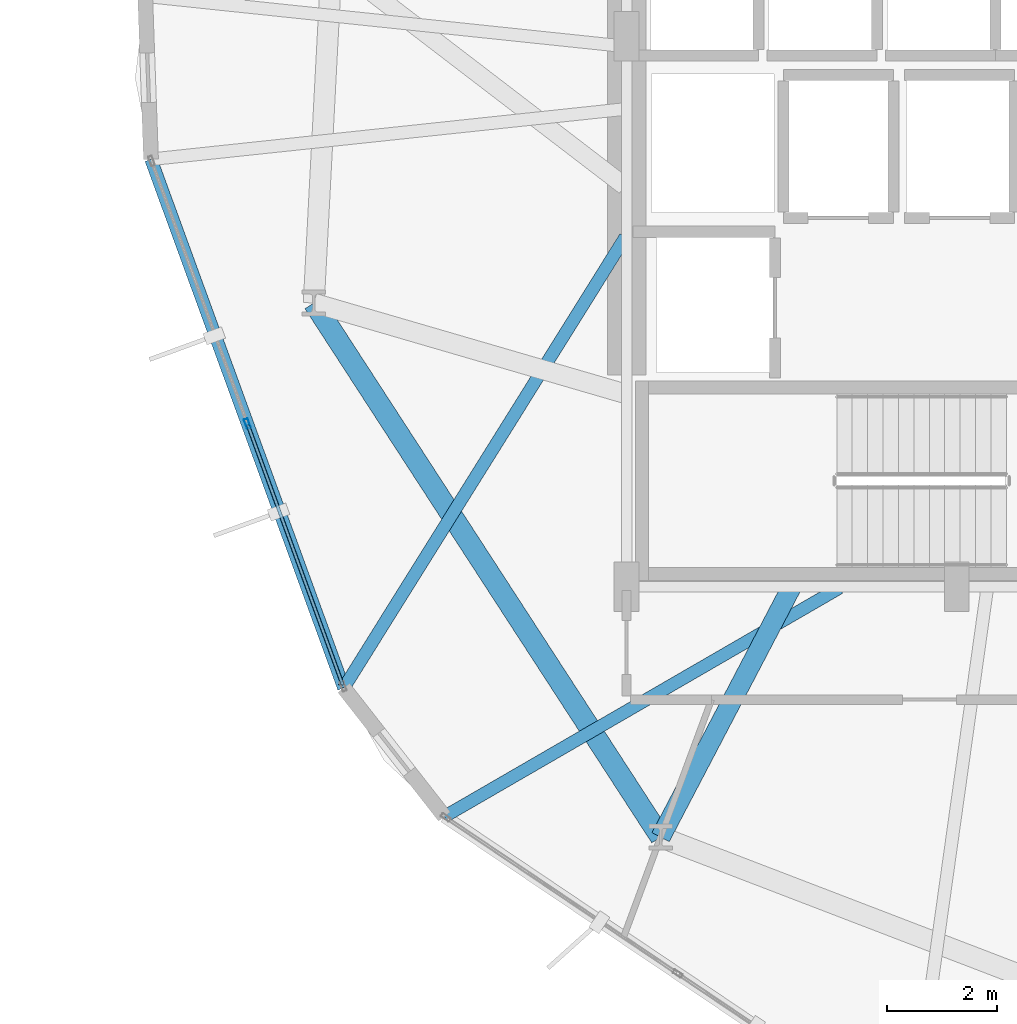
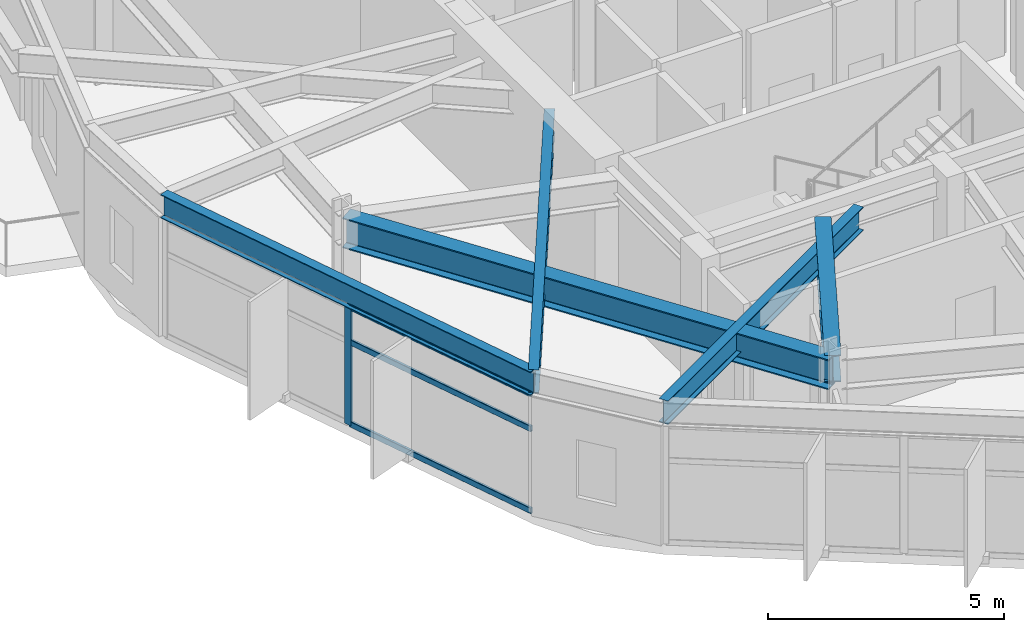
# One storey, part 3 of 21: 5 beams, 4 members, 1 element without a shape of its own.
"""IFC4 building model written with IfcOpenShell, lengths in metres."""

import ifcopenshell
import ifcopenshell.guid

model = None  # the IFC model being written
_history = None  # IfcOwnerHistory: only IFC2X3 demands one
_inside = {}  # id of a spatial element -> (the spatial element, [elements in it])
_under = {}  # id of a project, library or spatial element -> (it, [spatial elements below it])
_declared = {}  # id of a project -> (the project, [libraries it declares])
_typed = {}  # id of a type object -> (the type object, [elements of that type])
_made_of = {}  # id of a material, layer set ... -> (it, [elements and type objects made of it])


def new_model(schema):
    """Start an empty IFC model of exactly this schema.

    Asked for "IFC4X3", IfcOpenShell would pick the latest addendum, in which some entities
    have other attributes; the version numbers below select the first issue.
    IFC2X3 requires an IfcOwnerHistory on every rooted entity: one is made here for all.
    """
    global model, _history
    if schema == "IFC4X3":
        model = ifcopenshell.file(schema_version=(4, 3, 0, 0))
    else:
        model = ifcopenshell.file(schema=schema)
    _inside.clear()
    _under.clear()
    _declared.clear()
    _typed.clear()
    _made_of.clear()
    _history = None
    if model.schema == "IFC2X3":
        org = make("IfcOrganization", Name="unknown")
        user = make(
            "IfcPersonAndOrganization",
            ThePerson=make("IfcPerson", FamilyName="unknown"),
            TheOrganization=org,
        )
        app = make(
            "IfcApplication",
            ApplicationDeveloper=org,
            Version="unknown",
            ApplicationFullName="unknown",
            ApplicationIdentifier="unknown",
        )
        _history = make(
            "IfcOwnerHistory",
            OwningUser=user,
            OwningApplication=app,
            ChangeAction="ADDED",
            CreationDate=0,
        )
    return model


def make(cls, **values):
    """One entity of the class cls with the attributes given. An attribute that is None is left unset."""
    return model.create_entity(
        cls, **{name: value for name, value in values.items() if value is not None}
    )


def rooted(cls, **values):
    """An entity with a GlobalId (a new one), such as an element, a storey or a relation."""
    return make(cls, GlobalId=ifcopenshell.guid.new(), OwnerHistory=_history, **values)


def si_unit(unit_type, name, prefix=None):
    """IfcSIUnit, for example si_unit("LENGTHUNIT", "METRE", prefix="MILLI")."""
    return make("IfcSIUnit", UnitType=unit_type, Prefix=prefix, Name=name)


def assignment(units):
    """IfcUnitAssignment: the units of a project."""
    return None if units is None else make("IfcUnitAssignment", Units=units)


def point(xyz):
    """IfcCartesianPoint."""
    return None if xyz is None else make("IfcCartesianPoint", Coordinates=xyz)


def direction(xyz):
    """IfcDirection."""
    return None if xyz is None else make("IfcDirection", DirectionRatios=xyz)


def frame(location, z_axis=None, x_axis=None):
    """IfcAxis2Placement3D, a coordinate frame: its origin and axes. An axis left out is left unset."""
    return make(
        "IfcAxis2Placement3D",
        Location=point(location),
        Axis=direction(z_axis),
        RefDirection=direction(x_axis),
    )


def frame_2d(location, x_axis=None):
    """IfcAxis2Placement2D, a coordinate frame in the plane: its origin and x axis."""
    return make(
        "IfcAxis2Placement2D", Location=point(location), RefDirection=direction(x_axis)
    )


def origin():
    """The frame at (0, 0, 0) with its axes left unset."""
    return frame((0.0, 0.0, 0.0))


def origin_2d():
    """The frame at (0, 0) in the plane with its x axis left unset."""
    return frame_2d((0.0, 0.0))


def place(relative_to, where):
    """IfcLocalPlacement: puts the frame where relative to a parent placement (None: the world)."""
    return make(
        "IfcLocalPlacement", PlacementRelTo=relative_to, RelativePlacement=where
    )


def context(
    kind, dimensions, precision=None, world=None, true_north=None, identifier=None
):
    """IfcGeometricRepresentationContext, for example the 3D "Model" context."""
    return make(
        "IfcGeometricRepresentationContext",
        ContextIdentifier=identifier,
        ContextType=kind,
        CoordinateSpaceDimension=dimensions,
        Precision=precision,
        WorldCoordinateSystem=world,
        TrueNorth=true_north,
    )


def subcontext(parent, identifier, kind, view, scale=None):
    """IfcGeometricRepresentationSubContext, for example "Body" below "Model"."""
    return make(
        "IfcGeometricRepresentationSubContext",
        ContextIdentifier=identifier,
        ContextType=kind,
        ParentContext=parent,
        TargetScale=scale,
        TargetView=view,
    )


def project(units=None, contexts=None):
    """IfcProject with its units and contexts."""
    return rooted(
        "IfcProject",
        Name="project",
        RepresentationContexts=contexts,
        UnitsInContext=assignment(units),
    )


def spatial(cls, under=None, at=None, **own):
    """A site, building, storey or space (cls), placed at a placement, below another one or the project."""
    s = rooted(cls, ObjectPlacement=at, **own)
    if under is not None:
        _under.setdefault(under.id(), (under, []))[1].append(s)
    return s


def profile(cls, at=None, kind="AREA", **sizes):
    """A parametric profile (cls). Its sizes go by their IFC names, for example OverallWidth=200.0."""
    return make(cls, ProfileType=kind, Position=at, **sizes)


def hollow_rectangle(**sizes):
    """IfcRectangleHollowProfileDef."""
    return profile("IfcRectangleHollowProfileDef", **sizes)


def i_section(**sizes):
    """IfcIShapeProfileDef."""
    return profile("IfcIShapeProfileDef", **sizes)


def extrude(swept, where, along, depth):
    """IfcExtrudedAreaSolid: the profile swept, set in the frame where, extruded along a direction by depth."""
    return make(
        "IfcExtrudedAreaSolid",
        SweptArea=swept,
        Position=where,
        ExtrudedDirection=direction(along),
        Depth=depth,
    )


def shape(context_of_items, identifier, shape_type, items):
    """IfcShapeRepresentation: the items that make up one representation, for example the "Body"."""
    return make(
        "IfcShapeRepresentation",
        ContextOfItems=context_of_items,
        RepresentationIdentifier=identifier,
        RepresentationType=shape_type,
        Items=items,
    )


def material(Name=None, Category=None):
    """IfcMaterial."""
    return make("IfcMaterial", Name=Name, Category=Category)


def layer(
    of_material, thickness, ventilated=None, Name=None, Category=None, Priority=None
):
    """IfcMaterialLayer: one layer of a wall or slab, of a material (None: an air gap)."""
    return make(
        "IfcMaterialLayer",
        Material=of_material,
        LayerThickness=thickness,
        IsVentilated=ventilated,
        Name=Name,
        Category=Category,
        Priority=Priority,
    )


def layer_set(layers, Name=None):
    """IfcMaterialLayerSet."""
    return make("IfcMaterialLayerSet", MaterialLayers=layers, LayerSetName=Name)


def material_profile(
    of_material, cross_section, Name=None, Category=None, Priority=None
):
    """IfcMaterialProfile: a cross section and its material."""
    return make(
        "IfcMaterialProfile",
        Name=Name,
        Material=of_material,
        Profile=cross_section,
        Priority=Priority,
        Category=Category,
    )


def profile_set(profiles, Name=None, composite=None):
    """IfcMaterialProfileSet."""
    return make(
        "IfcMaterialProfileSet",
        Name=Name,
        MaterialProfiles=profiles,
        CompositeProfile=composite,
    )


def made_of(thing, what):
    """Note that an element or type object is made of a material, layer set ...; save() writes the relation."""
    if what is not None:
        _made_of.setdefault(what.id(), (what, []))[1].append(thing)
    return thing


def type_object(cls, material=None, **own):
    """A type object (cls), such as IfcWallType, which elements share."""
    return made_of(rooted(cls, **own), material)


def element(
    cls,
    number,
    at=None,
    inside=None,
    cuts=None,
    type_object=None,
    material=None,
    context=None,
    identifier="Body",
    shape_type=None,
    held_by="IfcProductDefinitionShape",
    body=None,
    shapes=None,
    **own,
):
    """One element of the class cls, such as IfcWall. Its Tag is "e" and its number.

    at: its placement. inside: the storey or other place that contains it. cuts: it is an
    opening in that element (IfcRelVoidsElement). A single representation is given by context,
    identifier, shape_type and body (its items); several are given by shapes. held_by: the class
    of the entity that holds the representations. save() writes the other relations.
    """
    e = rooted(cls, Tag="e%d" % number, ObjectPlacement=at, **own)
    if body is not None:
        shapes = [shape(context, identifier, shape_type, body)]
    if shapes is not None:
        e.Representation = make(held_by, Representations=shapes)
    if inside is not None:
        _inside.setdefault(inside.id(), (inside, []))[1].append(e)
    if cuts is not None:
        rooted(
            "IfcRelVoidsElement", RelatingBuildingElement=cuts, RelatedOpeningElement=e
        )
    if type_object is not None:
        _typed.setdefault(type_object.id(), (type_object, []))[1].append(e)
    return made_of(e, material)


def aggregate(whole, parts):
    """IfcRelAggregates: a whole, such as a stair, and the parts it consists of."""
    return rooted("IfcRelAggregates", RelatingObject=whole, RelatedObjects=parts)


def save(model, path):
    """Write the relations noted so far, then the file.

    IfcRelAggregates (storeys below a building ...), IfcRelContainedInSpatialStructure (elements
    in a storey), IfcRelDefinesByType, IfcRelAssociatesMaterial and IfcRelDeclares: one each for
    every whole, place, type object, material and project.
    """
    for whole, parts in _under.values():
        aggregate(whole, parts)
    for where, things in _inside.values():
        rooted(
            "IfcRelContainedInSpatialStructure",
            RelatedElements=things,
            RelatingStructure=where,
        )
    for kind, things in _typed.values():
        rooted("IfcRelDefinesByType", RelatedObjects=things, RelatingType=kind)
    for what, things in _made_of.values():
        rooted("IfcRelAssociatesMaterial", RelatedObjects=things, RelatingMaterial=what)
    for by, libraries in _declared.values():
        rooted("IfcRelDeclares", RelatingContext=by, RelatedDefinitions=libraries)
    model.write(path)


model = new_model("IFC4")

# Units and contexts
model_context = context("Model", 3, precision=1e-05, world=origin(), true_north=direction((0.0, 1.0)))
body_context = subcontext(model_context, "Body", "Model", "MODEL_VIEW")
ifc_project = project(units=[si_unit("LENGTHUNIT", "METRE"), si_unit("AREAUNIT", "SQUARE_METRE"), si_unit("VOLUMEUNIT", "CUBIC_METRE"), si_unit("PLANEANGLEUNIT", "RADIAN"), si_unit("MASSUNIT", "GRAM", prefix="KILO")], contexts=[model_context])

# Site, building, storey
site_placement = place(None, origin())
site = spatial("IfcSite", under=ifc_project, at=site_placement, CompositionType="ELEMENT")
building_placement = place(site_placement, origin())
building = spatial("IfcBuilding", under=site, at=building_placement, Name="Soratama Intermodal Tower", CompositionType="ELEMENT")
storey_placement = place(building_placement, frame((0.0, 0.0, 34.60009765625)))
storey = spatial("IfcBuildingStorey", under=building, at=storey_placement, Name="L07", CompositionType="ELEMENT", Elevation=34.60009765625)

# Beams
ifc_material_1 = material(Name="Structural steel ASTM A992 Grade 50", Category="steel")
ifc_material_profile_1 = material_profile(ifc_material_1, i_section(OverallWidth=0.35498046875, OverallDepth=0.695068359375, WebThickness=0.015380859375, FlangeThickness=0.02490234375, FilletRadius=0.01611328125, at=origin_2d()), Name="W27X146")
ifc_profile_set_1 = profile_set([ifc_material_profile_1], Name="Structural steel ASTM A992 Grade 50")
beam_type_1 = type_object("IfcBeamType", Name="BM-RING-W27X146", PredefinedType="BEAM", material=ifc_profile_set_1)
beam_1_placement = place(storey_placement, frame((35.60009765625, 15.0, 3.352294921875), z_axis=(-0.463818619792, -0.885930182314, 0.0), x_axis=(0.885930182314, -0.463818619792, 0.0)))
element("IfcBeam", 1, at=beam_1_placement, inside=storey, type_object=beam_type_1, Name="BM-L07-RAD-07", PredefinedType="BEAM", context=body_context, shape_type="SweptSolid", body=[
    extrude(i_section(OverallWidth=0.35498046875, OverallDepth=0.695068359375, WebThickness=0.015380859375, FlangeThickness=0.02490234375, FilletRadius=0.01611328125, at=origin_2d()), origin(), (0.0, 0.0, 1.0), 5.1337890625),
])
ifc_material_2 = material(Name="Structural steel ASTM A992 Grade 50", Category="steel")
ifc_material_profile_2 = material_profile(ifc_material_2, i_section(OverallWidth=0.382080078125, OverallDepth=0.779052734375, WebThickness=0.01806640625, FlangeThickness=0.030029296875, FilletRadius=0.01806640625, at=origin_2d()), Name="W30X191")
ifc_profile_set_2 = profile_set([ifc_material_profile_2], Name="Structural steel ASTM A992 Grade 50")
beam_type_2 = type_object("IfcBeamType", Name="BM-RING-W30X191", PredefinedType="BEAM", material=ifc_profile_set_2)
beam_2_placement = place(storey_placement, frame((26.91796875, 20.155029296875, 3.310302734375), z_axis=(0.544623370352, -0.838680740489, 0.0), x_axis=(0.838680740489, 0.544623370352, 0.0)))
element("IfcBeam", 2, at=beam_2_placement, inside=storey, type_object=beam_type_2, Name="BM-L07-RING-06", PredefinedType="BEAM", context=body_context, shape_type="SweptSolid", body=[
    extrude(i_section(OverallWidth=0.382080078125, OverallDepth=0.779052734375, WebThickness=0.01806640625, FlangeThickness=0.030029296875, FilletRadius=0.01806640625, at=origin_2d()), origin(), (0.0, 0.0, 1.0), 11.569580078125),
])
ifc_material_3 = material(Name="Structural steel ASTM A992 Grade 50", Category="steel")
ifc_material_profile_3 = material_profile(ifc_material_3, i_section(OverallWidth=0.22900390625, OverallDepth=0.612060546875, WebThickness=0.011962890625, FlangeThickness=0.01953125, FilletRadius=0.012939453125, at=origin_2d()), Name="W24X84")
ifc_profile_set_3 = profile_set([ifc_material_profile_3], Name="Structural steel ASTM A992 Grade 50")
beam_type_3 = type_object("IfcBeamType", Name="BM-SPN-W24X84", PredefinedType="SPANDREL", material=ifc_profile_set_3)
beam_3_placement = place(storey_placement, frame((23.9599609375, 22.76611328125, 3.393798828125), z_axis=(0.342655638764, -0.939461075949, 0.0), x_axis=(0.939461075949, 0.342655638764, 0.0)))
element("IfcBeam", 3, at=beam_3_placement, inside=storey, type_object=beam_type_3, Name="BS-L07-F06", PredefinedType="SPANDREL", context=body_context, shape_type="SweptSolid", body=[
    extrude(i_section(OverallWidth=0.22900390625, OverallDepth=0.612060546875, WebThickness=0.011962890625, FlangeThickness=0.01953125, FilletRadius=0.012939453125, at=origin_2d()), origin(), (0.0, 0.0, 1.0), 10.222900390625),
])
ifc_material_4 = material(Name="Structural steel ASTM A992 Grade 50", Category="steel")
ifc_material_profile_4 = material_profile(ifc_material_4, i_section(OverallWidth=0.22900390625, OverallDepth=0.612060546875, WebThickness=0.011962890625, FlangeThickness=0.01953125, FilletRadius=0.012939453125, at=origin_2d()), Name="W24X84")
ifc_profile_set_4 = profile_set([ifc_material_profile_4], Name="Structural steel ASTM A992 Grade 50")
beam_type_4 = type_object("IfcBeamType", Name="BM-TIE-W24X84", PredefinedType="BEAM", material=ifc_profile_set_4)
beam_4_placement = place(storey_placement, frame((32.5791015625, 21.35498046875, 3.393798828125), z_axis=(-0.52967628226, -0.848199879752, 0.0), x_axis=(0.848199879752, -0.52967628226, 0.0)))
element("IfcBeam", 4, at=beam_4_placement, inside=storey, type_object=beam_type_4, Name="BM-L07-TIE1-06", PredefinedType="BEAM", context=body_context, shape_type="SweptSolid", body=[
    extrude(i_section(OverallWidth=0.22900390625, OverallDepth=0.612060546875, WebThickness=0.011962890625, FlangeThickness=0.01953125, FilletRadius=0.012939453125, at=origin_2d()), origin(), (0.0, 0.0, 1.0), 9.6591796875),
])
beam_5_placement = place(storey_placement, frame((36.468994140625, 14.97998046875, 3.393798828125), z_axis=(-0.865510923068, -0.500890049862, 0.0), x_axis=(0.500890049862, -0.865510923068, 0.0)))
element("IfcBeam", 5, at=beam_5_placement, inside=storey, type_object=beam_type_4, Name="BM-L07-TIE0-07", PredefinedType="BEAM", context=body_context, shape_type="SweptSolid", body=[
    extrude(i_section(OverallWidth=0.22900390625, OverallDepth=0.612060546875, WebThickness=0.011962890625, FlangeThickness=0.01953125, FilletRadius=0.012939453125, at=origin_2d()), origin(), (0.0, 0.0, 1.0), 8.29345703125),
])

# Curtain wall, members
ifc_material_5 = material(Name="Double-glazed aluminium curtain wall", Category="aluminium")
ifc_layer = layer(ifc_material_5, 0.159912109375)
ifc_layer_set = layer_set([ifc_layer], Name="Double-glazed aluminium curtain wall")
curtain_wall_type = type_object("IfcCurtainWallType", Name="CW-SYS-2", PredefinedType="NOTDEFINED", material=ifc_layer_set)
curtain_wall_placement = place(storey_placement, origin())
curtain_wall = element("IfcCurtainWall", 6, at=curtain_wall_placement, inside=storey, type_object=curtain_wall_type, Name="L07 Faceted Curtain Wall F06", PredefinedType="NOTDEFINED")
ifc_material_6 = material(Name="Anodised aluminium AA 6063-T6", Category="aluminium")
ifc_material_profile_5 = material_profile(ifc_material_6, hollow_rectangle(XDim=0.074951171875, YDim=0.179931640625, WallThickness=0.006103515625, InnerFilletRadius=0.006103515625, OuterFilletRadius=0.011962890625, at=origin_2d()), Name="CWM180X75X6")
ifc_profile_set_5 = profile_set([ifc_material_profile_5], Name="Anodised aluminium AA 6063-T6")
member_type_1 = type_object("IfcMemberType", Name="MT-CWM-2", PredefinedType="MULLION", material=ifc_profile_set_5)
member_1_placement = place(storey_placement, frame((25.71142578125, 17.96435546875, 0.0), z_axis=(0.0, 0.0, 1.0), x_axis=(0.939452518912, 0.342679098735, 0.0)))
member_1 = element("IfcMember", 7, at=member_1_placement, type_object=member_type_1, Name="CW-2 mullion 2", PredefinedType="MULLION", context=body_context, shape_type="SweptSolid", body=[
    extrude(hollow_rectangle(XDim=0.074951171875, YDim=0.179931640625, WallThickness=0.006103515625, InnerFilletRadius=0.006103515625, OuterFilletRadius=0.011962890625, at=origin_2d()), origin(), (0.0, 0.0, 1.0), 3.078857421875),
])
ifc_material_7 = material(Name="Anodised aluminium AA 6063-T6", Category="aluminium")
ifc_material_profile_6 = material_profile(ifc_material_7, hollow_rectangle(XDim=0.06494140625, YDim=0.14990234375, WallThickness=0.0048828125, InnerFilletRadius=0.0048828125, OuterFilletRadius=0.010009765625, at=origin_2d()), Name="CWT150X65X5")
ifc_profile_set_6 = profile_set([ifc_material_profile_6], Name="Anodised aluminium AA 6063-T6")
member_type_2 = type_object("IfcMemberType", Name="TT-CWT-1", PredefinedType="USERDEFINED", material=ifc_profile_set_6)
member_2_placement = place(storey_placement, frame((25.7216796875, 17.93603515625, 0.02978515625), z_axis=(0.342722731042, -0.93943660224, 0.0), x_axis=(0.93943660224, 0.342722731042, 0.0)))
member_2 = element("IfcMember", 8, at=member_2_placement, type_object=member_type_2, Name="CW-2 transom 2.1", ObjectType="TRANSOM", PredefinedType="USERDEFINED", context=body_context, shape_type="SweptSolid", body=[
    extrude(hollow_rectangle(XDim=0.06494140625, YDim=0.14990234375, WallThickness=0.0048828125, InnerFilletRadius=0.0048828125, OuterFilletRadius=0.010009765625, at=origin_2d()), origin(), (0.0, 0.0, 1.0), 5.021484375),
])
member_3_placement = place(storey_placement, frame((25.7216796875, 17.93603515625, 2.14990234375), z_axis=(0.342722731042, -0.93943660224, 0.0), x_axis=(0.93943660224, 0.342722731042, 0.0)))
member_3 = element("IfcMember", 9, at=member_3_placement, type_object=member_type_2, Name="CW-2 transom 2.2", ObjectType="TRANSOM", PredefinedType="USERDEFINED", context=body_context, shape_type="SweptSolid", body=[
    extrude(hollow_rectangle(XDim=0.06494140625, YDim=0.14990234375, WallThickness=0.0048828125, InnerFilletRadius=0.0048828125, OuterFilletRadius=0.010009765625, at=origin_2d()), origin(), (0.0, 0.0, 1.0), 5.021484375),
])
member_4_placement = place(storey_placement, frame((25.7216796875, 17.93603515625, 3.048828125), z_axis=(0.342722731042, -0.93943660224, 0.0), x_axis=(0.93943660224, 0.342722731042, 0.0)))
member_4 = element("IfcMember", 10, at=member_4_placement, type_object=member_type_2, Name="CW-2 transom 2.3", ObjectType="TRANSOM", PredefinedType="USERDEFINED", context=body_context, shape_type="SweptSolid", body=[
    extrude(hollow_rectangle(XDim=0.06494140625, YDim=0.14990234375, WallThickness=0.0048828125, InnerFilletRadius=0.0048828125, OuterFilletRadius=0.010009765625, at=origin_2d()), origin(), (0.0, 0.0, 1.0), 5.021484375),
])
aggregate(curtain_wall, [member_1, member_2, member_3, member_4])

save(model, "model.ifc")
